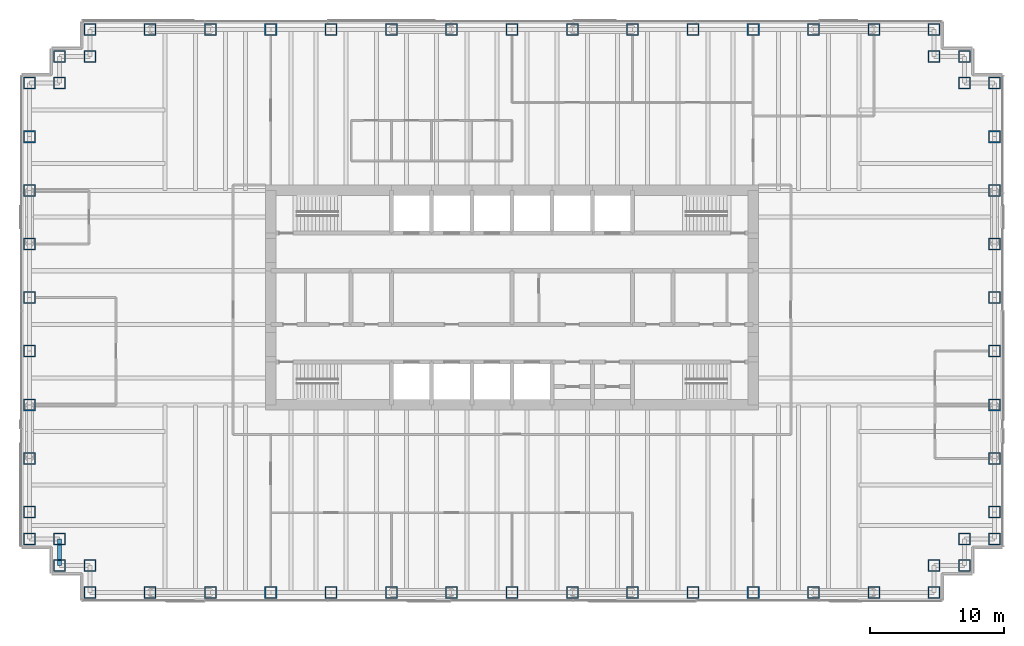
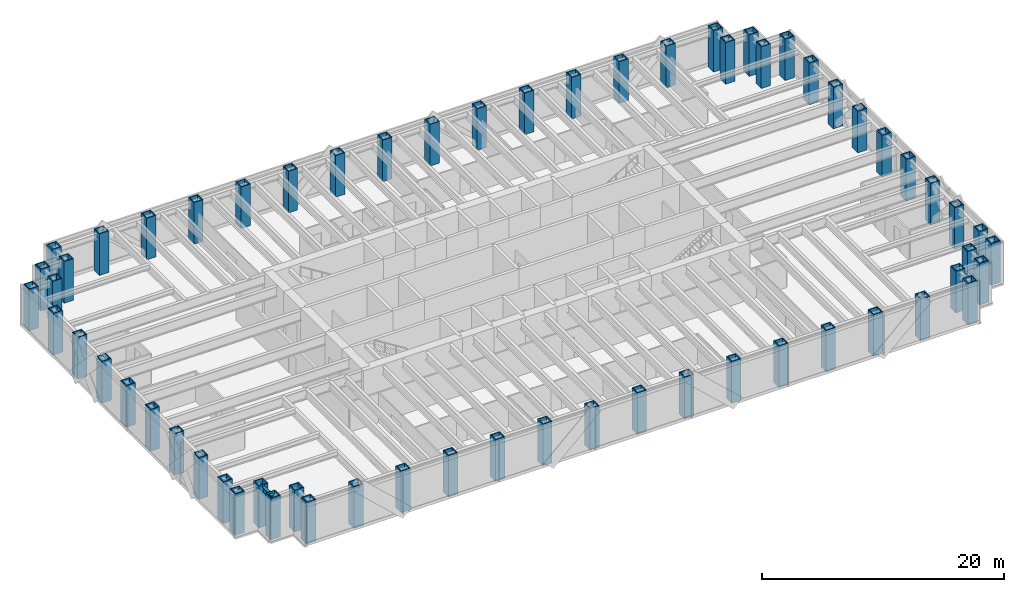
# One storey, part 1 of 19: 62 columns, 1 beam.
"""IFC4 building model written with IfcOpenShell, lengths in metres."""

from ifc_helpers import new_model, si_unit, direction, frame, origin, origin_2d, place, context, subcontext, project, spatial, hollow_rectangle, i_section, extrude, material, material_profile, profile_set, type_object, element, save


model = new_model("IFC4")

# Units and contexts
model_context = context("Model", 3, precision=1e-05, world=origin(), true_north=direction((0.0, 1.0)))
body_context = subcontext(model_context, "Body", "Model", "MODEL_VIEW")
ifc_project = project(units=[si_unit("LENGTHUNIT", "METRE"), si_unit("AREAUNIT", "SQUARE_METRE"), si_unit("VOLUMEUNIT", "CUBIC_METRE"), si_unit("PLANEANGLEUNIT", "RADIAN"), si_unit("MASSUNIT", "GRAM", prefix="KILO")], contexts=[model_context])

# Site, building, storey
site_placement = place(None, origin())
site = spatial("IfcSite", under=ifc_project, at=site_placement, CompositionType="ELEMENT")
building_placement = place(site_placement, origin())
building = spatial("IfcBuilding", under=site, at=building_placement, Name="Rheinbord Bourse Tower", CompositionType="ELEMENT")
storey_placement = place(building_placement, frame((0.0, 0.0, 206.800048828125)))
storey = spatial("IfcBuildingStorey", under=building, at=storey_placement, Name="L46", CompositionType="ELEMENT", Elevation=206.800048828125)

# Columns
ifc_material_1 = material(Name="Steel S460M", Category="steel")
ifc_material_profile_1 = material_profile(ifc_material_1, hollow_rectangle(XDim=0.89990234375, YDim=0.89990234375, WallThickness=0.080078125, at=origin_2d()), Name="BOX 900x900x80")
ifc_profile_set_1 = profile_set([ifc_material_profile_1], Name="Steel S460M")
column_type = type_object("IfcColumnType", Name="TUBE COLUMN BOX 900x900x80", PredefinedType="COLUMN", material=ifc_profile_set_1)
for number, where, z_axis, x_axis, name in (
    (1, (4.5, 2.0, 0.0), (0.0, 0.0, 1.0), (0.0, 1.0, 0.0), "Column SW-E L46"),
    (2, (9.0, 2.0, 0.0), (0.0, 0.0, 1.0), (0.0, 1.0, 0.0), "Column S-9 L46"),
    (3, (13.5, 2.0, 0.0), (0.0, 0.0, 1.0), (0.0, 1.0, 0.0), "Column S-13.5 L46"),
    (4, (18.0, 2.0, 0.0), (0.0, 0.0, 1.0), (0.0, 1.0, 0.0), "Column S-18 L46"),
    (5, (22.5, 2.0, 0.0), (0.0, 0.0, 1.0), (0.0, 1.0, 0.0), "Column S-22.5 L46"),
    (6, (27.0, 2.0, 0.0), (0.0, 0.0, 1.0), (0.0, 1.0, 0.0), "Column S-27 L46"),
    (7, (31.5, 2.0, 0.0), (0.0, 0.0, 1.0), (0.0, 1.0, 0.0), "Column S-31.5 L46"),
    (8, (36.0, 2.0, 0.0), (0.0, 0.0, 1.0), (0.0, 1.0, 0.0), "Column S-36 L46"),
    (9, (40.5, 2.0, 0.0), (0.0, 0.0, 1.0), (0.0, 1.0, 0.0), "Column S-40.5 L46"),
    (10, (45.0, 2.0, 0.0), (0.0, 0.0, 1.0), (0.0, 1.0, 0.0), "Column S-45 L46"),
    (11, (49.5, 2.0, 0.0), (0.0, 0.0, 1.0), (0.0, 1.0, 0.0), "Column S-49.5 L46"),
    (12, (54.0, 2.0, 0.0), (0.0, 0.0, 1.0), (0.0, 1.0, 0.0), "Column S-54 L46"),
    (13, (58.5, 2.0, 0.0), (0.0, 0.0, 1.0), (0.0, 1.0, 0.0), "Column S-58.5 L46"),
    (14, (63.0, 2.0, 0.0), (0.0, 0.0, 1.0), (0.0, 1.0, 0.0), "Column S-63 L46"),
    (15, (67.5, 2.0, 0.0), (0.0, 0.0, 1.0), (0.0, 1.0, 0.0), "Column SE-E L46"),
    (16, (67.5, 4.0, 0.0), (0.0, 0.0, 1.0), (0.0, 1.0, 0.0), "Column SE-D L46"),
    (17, (69.75, 4.0, 0.0), (0.0, 0.0, 1.0), (1.0, 0.0, 0.0), "Column SE-C L46"),
    (18, (69.75, 6.0, 0.0), (0.0, 0.0, 1.0), (1.0, 0.0, 0.0), "Column SE-B L46"),
    (19, (72.0, 6.0, 0.0), (0.0, 0.0, 1.0), (1.0, 0.0, 0.0), "Column SE-A L46"),
    (20, (72.0, 8.0, 0.0), (0.0, 0.0, 1.0), (1.0, 0.0, 0.0), "Column E-8 L46"),
    (21, (72.0, 12.0, 0.0), (0.0, 0.0, 1.0), (1.0, 0.0, 0.0), "Column E-12 L46"),
    (22, (72.0, 16.0, 0.0), (0.0, 0.0, 1.0), (1.0, 0.0, 0.0), "Column E-16 L46"),
    (23, (72.0, 20.0, 0.0), (0.0, 0.0, 1.0), (1.0, 0.0, 0.0), "Column E-20 L46"),
    (24, (72.0, 24.0, 0.0), (0.0, 0.0, 1.0), (1.0, 0.0, 0.0), "Column E-24 L46"),
    (25, (72.0, 28.0, 0.0), (0.0, 0.0, 1.0), (1.0, 0.0, 0.0), "Column E-28 L46"),
    (26, (72.0, 32.0, 0.0), (0.0, 0.0, 1.0), (1.0, 0.0, 0.0), "Column E-32 L46"),
    (27, (72.0, 36.0, 0.0), (0.0, 0.0, 1.0), (1.0, 0.0, 0.0), "Column E-36 L46"),
    (28, (72.0, 40.0, 0.0), (0.0, 0.0, 1.0), (1.0, 0.0, 0.0), "Column NE-A L46"),
    (29, (69.75, 40.0, 0.0), (0.0, 0.0, 1.0), (1.0, 0.0, 0.0), "Column NE-B L46"),
    (30, (69.75, 42.0, 0.0), (0.0, 0.0, 1.0), (1.0, 0.0, 0.0), "Column NE-C L46"),
    (31, (67.5, 42.0, 0.0), (0.0, 0.0, 1.0), (0.0, 1.0, 0.0), "Column NE-D L46"),
    (32, (67.5, 44.0, 0.0), (0.0, 0.0, 1.0), (0.0, 1.0, 0.0), "Column NE-E L46"),
    (33, (63.0, 44.0, 0.0), (0.0, 0.0, 1.0), (0.0, 1.0, 0.0), "Column N-63 L46"),
    (34, (58.5, 44.0, 0.0), (0.0, 0.0, 1.0), (0.0, 1.0, 0.0), "Column N-58.5 L46"),
    (35, (54.0, 44.0, 0.0), (0.0, 0.0, 1.0), (0.0, 1.0, 0.0), "Column N-54 L46"),
    (36, (49.5, 44.0, 0.0), (0.0, 0.0, 1.0), (0.0, 1.0, 0.0), "Column N-49.5 L46"),
    (37, (45.0, 44.0, 0.0), (0.0, 0.0, 1.0), (0.0, 1.0, 0.0), "Column N-45 L46"),
    (38, (40.5, 44.0, 0.0), (0.0, 0.0, 1.0), (0.0, 1.0, 0.0), "Column N-40.5 L46"),
    (39, (36.0, 44.0, 0.0), (0.0, 0.0, 1.0), (0.0, 1.0, 0.0), "Column N-36 L46"),
    (40, (31.5, 44.0, 0.0), (0.0, 0.0, 1.0), (0.0, 1.0, 0.0), "Column N-31.5 L46"),
    (41, (27.0, 44.0, 0.0), (0.0, 0.0, 1.0), (0.0, 1.0, 0.0), "Column N-27 L46"),
    (42, (22.5, 44.0, 0.0), (0.0, 0.0, 1.0), (0.0, 1.0, 0.0), "Column N-22.5 L46"),
    (43, (18.0, 44.0, 0.0), (0.0, 0.0, 1.0), (0.0, 1.0, 0.0), "Column N-18 L46"),
    (44, (13.5, 44.0, 0.0), (0.0, 0.0, 1.0), (0.0, 1.0, 0.0), "Column N-13.5 L46"),
    (45, (9.0, 44.0, 0.0), (0.0, 0.0, 1.0), (0.0, 1.0, 0.0), "Column N-9 L46"),
    (46, (4.5, 44.0, 0.0), (0.0, 0.0, 1.0), (0.0, 1.0, 0.0), "Column NW-E L46"),
    (47, (4.5, 42.0, 0.0), (0.0, 0.0, 1.0), (0.0, 1.0, 0.0), "Column NW-D L46"),
    (48, (2.25, 42.0, 0.0), (0.0, 0.0, 1.0), (1.0, 0.0, 0.0), "Column NW-C L46"),
    (49, (2.25, 40.0, 0.0), (0.0, 0.0, 1.0), (1.0, 0.0, 0.0), "Column NW-B L46"),
    (50, (0.0, 40.0, 0.0), (0.0, 0.0, 1.0), (1.0, 0.0, 0.0), "Column NW-A L46"),
    (51, (0.0, 36.0, 0.0), (0.0, 0.0, 1.0), (1.0, 0.0, 0.0), "Column W-36 L46"),
    (52, (0.0, 32.0, 0.0), (0.0, 0.0, 1.0), (1.0, 0.0, 0.0), "Column W-32 L46"),
    (53, (0.0, 28.0, 0.0), (0.0, 0.0, 1.0), (1.0, 0.0, 0.0), "Column W-28 L46"),
    (54, (0.0, 24.0, 0.0), (0.0, 0.0, 1.0), (1.0, 0.0, 0.0), "Column W-24 L46"),
    (55, (0.0, 20.0, 0.0), (0.0, 0.0, 1.0), (1.0, 0.0, 0.0), "Column W-20 L46"),
    (56, (0.0, 16.0, 0.0), (0.0, 0.0, 1.0), (1.0, 0.0, 0.0), "Column W-16 L46"),
    (57, (0.0, 12.0, 0.0), (0.0, 0.0, 1.0), (1.0, 0.0, 0.0), "Column W-12 L46"),
    (58, (0.0, 8.0, 0.0), (0.0, 0.0, 1.0), (1.0, 0.0, 0.0), "Column W-8 L46"),
    (59, (0.0, 6.0, 0.0), (0.0, 0.0, 1.0), (1.0, 0.0, 0.0), "Column SW-A L46"),
    (60, (2.25, 6.0, 0.0), (0.0, 0.0, 1.0), (1.0, 0.0, 0.0), "Column SW-B L46"),
    (61, (2.25, 4.0, 0.0), (0.0, 0.0, 1.0), (1.0, 0.0, 0.0), "Column SW-C L46"),
    (62, (4.5, 4.0, 0.0), (0.0, 0.0, 1.0), (0.0, 1.0, 0.0), "Column SW-D L46"),
):
    element("IfcColumn", number, at=place(storey_placement, frame(where, z_axis=z_axis, x_axis=x_axis)), inside=storey, type_object=column_type, Name=name, PredefinedType="COLUMN", context=body_context, shape_type="SweptSolid", body=[
        extrude(hollow_rectangle(XDim=0.89990234375, YDim=0.89990234375, WallThickness=0.080078125, at=origin_2d()), origin(), (0.0, 0.0, 1.0), 4.199951171875),
    ])

# Beam
ifc_material_2 = material(Name="Steel S460", Category="steel")
ifc_material_profile_2 = material_profile(ifc_material_2, i_section(OverallWidth=0.300048828125, OverallDepth=0.60009765625, WebThickness=0.015380859375, FlangeThickness=0.030029296875, at=origin_2d()), Name="HEB 600")
ifc_profile_set_2 = profile_set([ifc_material_profile_2], Name="Steel S460")
beam_type = type_object("IfcBeamType", Name="SPANDREL HEB 600", PredefinedType="SPANDREL", material=ifc_profile_set_2)
beam_placement = place(storey_placement, frame((2.25, 6.0, 3.739990234375), z_axis=(0.0, -1.0, 0.0), x_axis=(1.0, 0.0, 0.0)))
element("IfcBeam", 63, at=beam_placement, inside=storey, type_object=beam_type, Name="Spandrel SW-B-SW-C under L47", PredefinedType="SPANDREL", context=body_context, shape_type="SweptSolid", body=[
    extrude(i_section(OverallWidth=0.300048828125, OverallDepth=0.60009765625, WebThickness=0.015380859375, FlangeThickness=0.030029296875, at=origin_2d()), origin(), (0.0, 0.0, 1.0), 2.0),
])

save(model, "model.ifc")
